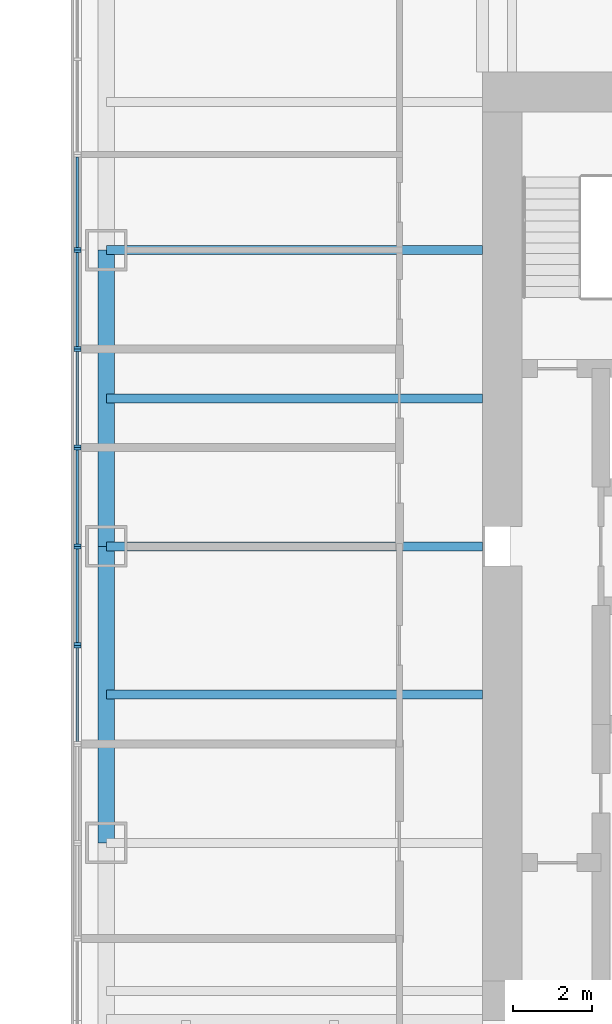
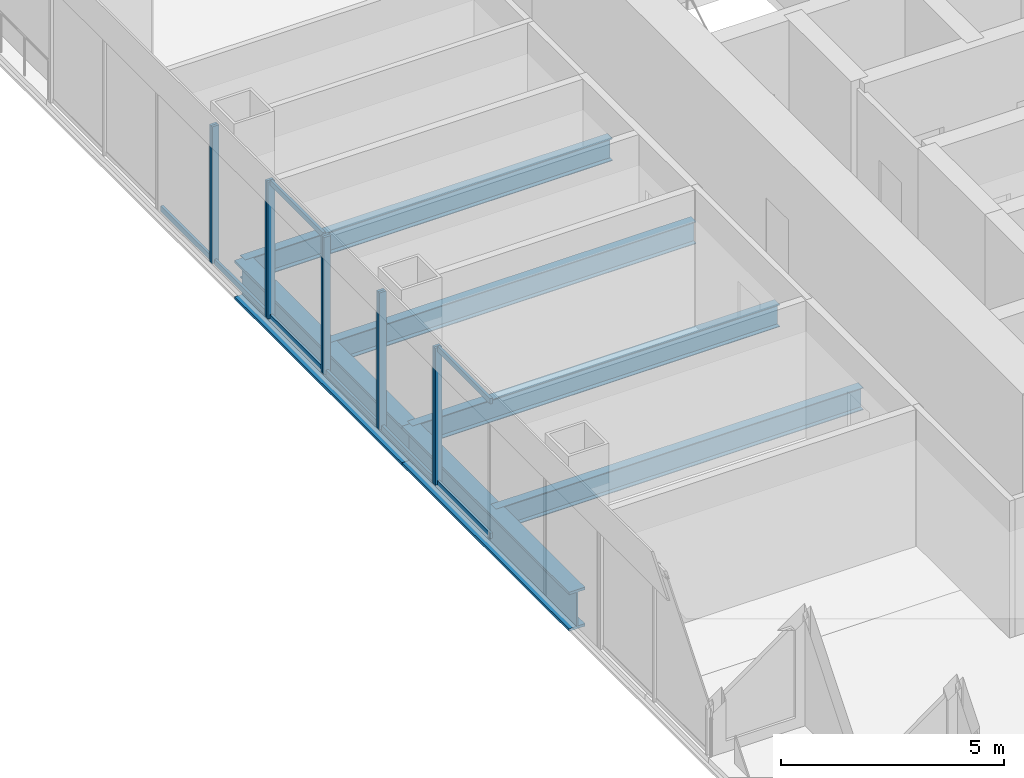
# One storey, part 3 of 14: 18 members, 6 beams, 6 elements without a shape of their own.
"""IFC4 building model written with IfcOpenShell, lengths in metres."""

import ifcopenshell
import ifcopenshell.guid

model = None  # the IFC model being written
_history = None  # IfcOwnerHistory: only IFC2X3 demands one
_inside = {}  # id of a spatial element -> (the spatial element, [elements in it])
_under = {}  # id of a project, library or spatial element -> (it, [spatial elements below it])
_declared = {}  # id of a project -> (the project, [libraries it declares])
_typed = {}  # id of a type object -> (the type object, [elements of that type])
_made_of = {}  # id of a material, layer set ... -> (it, [elements and type objects made of it])


def new_model(schema):
    """Start an empty IFC model of exactly this schema.

    Asked for "IFC4X3", IfcOpenShell would pick the latest addendum, in which some entities
    have other attributes; the version numbers below select the first issue.
    IFC2X3 requires an IfcOwnerHistory on every rooted entity: one is made here for all.
    """
    global model, _history
    if schema == "IFC4X3":
        model = ifcopenshell.file(schema_version=(4, 3, 0, 0))
    else:
        model = ifcopenshell.file(schema=schema)
    _inside.clear()
    _under.clear()
    _declared.clear()
    _typed.clear()
    _made_of.clear()
    _history = None
    if model.schema == "IFC2X3":
        org = make("IfcOrganization", Name="unknown")
        user = make(
            "IfcPersonAndOrganization",
            ThePerson=make("IfcPerson", FamilyName="unknown"),
            TheOrganization=org,
        )
        app = make(
            "IfcApplication",
            ApplicationDeveloper=org,
            Version="unknown",
            ApplicationFullName="unknown",
            ApplicationIdentifier="unknown",
        )
        _history = make(
            "IfcOwnerHistory",
            OwningUser=user,
            OwningApplication=app,
            ChangeAction="ADDED",
            CreationDate=0,
        )
    return model


def make(cls, **values):
    """One entity of the class cls with the attributes given. An attribute that is None is left unset."""
    return model.create_entity(
        cls, **{name: value for name, value in values.items() if value is not None}
    )


def rooted(cls, **values):
    """An entity with a GlobalId (a new one), such as an element, a storey or a relation."""
    return make(cls, GlobalId=ifcopenshell.guid.new(), OwnerHistory=_history, **values)


def si_unit(unit_type, name, prefix=None):
    """IfcSIUnit, for example si_unit("LENGTHUNIT", "METRE", prefix="MILLI")."""
    return make("IfcSIUnit", UnitType=unit_type, Prefix=prefix, Name=name)


def assignment(units):
    """IfcUnitAssignment: the units of a project."""
    return None if units is None else make("IfcUnitAssignment", Units=units)


def point(xyz):
    """IfcCartesianPoint."""
    return None if xyz is None else make("IfcCartesianPoint", Coordinates=xyz)


def direction(xyz):
    """IfcDirection."""
    return None if xyz is None else make("IfcDirection", DirectionRatios=xyz)


def frame(location, z_axis=None, x_axis=None):
    """IfcAxis2Placement3D, a coordinate frame: its origin and axes. An axis left out is left unset."""
    return make(
        "IfcAxis2Placement3D",
        Location=point(location),
        Axis=direction(z_axis),
        RefDirection=direction(x_axis),
    )


def frame_2d(location, x_axis=None):
    """IfcAxis2Placement2D, a coordinate frame in the plane: its origin and x axis."""
    return make(
        "IfcAxis2Placement2D", Location=point(location), RefDirection=direction(x_axis)
    )


def origin():
    """The frame at (0, 0, 0) with its axes left unset."""
    return frame((0.0, 0.0, 0.0))


def origin_2d():
    """The frame at (0, 0) in the plane with its x axis left unset."""
    return frame_2d((0.0, 0.0))


def place(relative_to, where):
    """IfcLocalPlacement: puts the frame where relative to a parent placement (None: the world)."""
    return make(
        "IfcLocalPlacement", PlacementRelTo=relative_to, RelativePlacement=where
    )


def context(
    kind, dimensions, precision=None, world=None, true_north=None, identifier=None
):
    """IfcGeometricRepresentationContext, for example the 3D "Model" context."""
    return make(
        "IfcGeometricRepresentationContext",
        ContextIdentifier=identifier,
        ContextType=kind,
        CoordinateSpaceDimension=dimensions,
        Precision=precision,
        WorldCoordinateSystem=world,
        TrueNorth=true_north,
    )


def subcontext(parent, identifier, kind, view, scale=None):
    """IfcGeometricRepresentationSubContext, for example "Body" below "Model"."""
    return make(
        "IfcGeometricRepresentationSubContext",
        ContextIdentifier=identifier,
        ContextType=kind,
        ParentContext=parent,
        TargetScale=scale,
        TargetView=view,
    )


def project(units=None, contexts=None):
    """IfcProject with its units and contexts."""
    return rooted(
        "IfcProject",
        Name="project",
        RepresentationContexts=contexts,
        UnitsInContext=assignment(units),
    )


def spatial(cls, under=None, at=None, **own):
    """A site, building, storey or space (cls), placed at a placement, below another one or the project."""
    s = rooted(cls, ObjectPlacement=at, **own)
    if under is not None:
        _under.setdefault(under.id(), (under, []))[1].append(s)
    return s


def profile(cls, at=None, kind="AREA", **sizes):
    """A parametric profile (cls). Its sizes go by their IFC names, for example OverallWidth=200.0."""
    return make(cls, ProfileType=kind, Position=at, **sizes)


def rectangle(**sizes):
    """IfcRectangleProfileDef."""
    return profile("IfcRectangleProfileDef", **sizes)


def i_section(**sizes):
    """IfcIShapeProfileDef."""
    return profile("IfcIShapeProfileDef", **sizes)


def extrude(swept, where, along, depth):
    """IfcExtrudedAreaSolid: the profile swept, set in the frame where, extruded along a direction by depth."""
    return make(
        "IfcExtrudedAreaSolid",
        SweptArea=swept,
        Position=where,
        ExtrudedDirection=direction(along),
        Depth=depth,
    )


def shape(context_of_items, identifier, shape_type, items):
    """IfcShapeRepresentation: the items that make up one representation, for example the "Body"."""
    return make(
        "IfcShapeRepresentation",
        ContextOfItems=context_of_items,
        RepresentationIdentifier=identifier,
        RepresentationType=shape_type,
        Items=items,
    )


def material(Name=None, Category=None):
    """IfcMaterial."""
    return make("IfcMaterial", Name=Name, Category=Category)


def material_profile(
    of_material, cross_section, Name=None, Category=None, Priority=None
):
    """IfcMaterialProfile: a cross section and its material."""
    return make(
        "IfcMaterialProfile",
        Name=Name,
        Material=of_material,
        Profile=cross_section,
        Priority=Priority,
        Category=Category,
    )


def profile_set(profiles, Name=None, composite=None):
    """IfcMaterialProfileSet."""
    return make(
        "IfcMaterialProfileSet",
        Name=Name,
        MaterialProfiles=profiles,
        CompositeProfile=composite,
    )


def made_of(thing, what):
    """Note that an element or type object is made of a material, layer set ...; save() writes the relation."""
    if what is not None:
        _made_of.setdefault(what.id(), (what, []))[1].append(thing)
    return thing


def type_object(cls, material=None, **own):
    """A type object (cls), such as IfcWallType, which elements share."""
    return made_of(rooted(cls, **own), material)


def element(
    cls,
    number,
    at=None,
    inside=None,
    cuts=None,
    type_object=None,
    material=None,
    context=None,
    identifier="Body",
    shape_type=None,
    held_by="IfcProductDefinitionShape",
    body=None,
    shapes=None,
    **own,
):
    """One element of the class cls, such as IfcWall. Its Tag is "e" and its number.

    at: its placement. inside: the storey or other place that contains it. cuts: it is an
    opening in that element (IfcRelVoidsElement). A single representation is given by context,
    identifier, shape_type and body (its items); several are given by shapes. held_by: the class
    of the entity that holds the representations. save() writes the other relations.
    """
    e = rooted(cls, Tag="e%d" % number, ObjectPlacement=at, **own)
    if body is not None:
        shapes = [shape(context, identifier, shape_type, body)]
    if shapes is not None:
        e.Representation = make(held_by, Representations=shapes)
    if inside is not None:
        _inside.setdefault(inside.id(), (inside, []))[1].append(e)
    if cuts is not None:
        rooted(
            "IfcRelVoidsElement", RelatingBuildingElement=cuts, RelatedOpeningElement=e
        )
    if type_object is not None:
        _typed.setdefault(type_object.id(), (type_object, []))[1].append(e)
    return made_of(e, material)


def aggregate(whole, parts):
    """IfcRelAggregates: a whole, such as a stair, and the parts it consists of."""
    return rooted("IfcRelAggregates", RelatingObject=whole, RelatedObjects=parts)


def save(model, path):
    """Write the relations noted so far, then the file.

    IfcRelAggregates (storeys below a building ...), IfcRelContainedInSpatialStructure (elements
    in a storey), IfcRelDefinesByType, IfcRelAssociatesMaterial and IfcRelDeclares: one each for
    every whole, place, type object, material and project.
    """
    for whole, parts in _under.values():
        aggregate(whole, parts)
    for where, things in _inside.values():
        rooted(
            "IfcRelContainedInSpatialStructure",
            RelatedElements=things,
            RelatingStructure=where,
        )
    for kind, things in _typed.values():
        rooted("IfcRelDefinesByType", RelatedObjects=things, RelatingType=kind)
    for what, things in _made_of.values():
        rooted("IfcRelAssociatesMaterial", RelatedObjects=things, RelatingMaterial=what)
    for by, libraries in _declared.values():
        rooted("IfcRelDeclares", RelatingContext=by, RelatedDefinitions=libraries)
    model.write(path)


model = new_model("IFC4")

# Units and contexts
model_context = context("Model", 3, precision=1e-05, world=origin(), true_north=direction((0.0, 1.0)))
body_context = subcontext(model_context, "Body", "Model", "MODEL_VIEW")
ifc_project = project(units=[si_unit("LENGTHUNIT", "METRE"), si_unit("AREAUNIT", "SQUARE_METRE"), si_unit("VOLUMEUNIT", "CUBIC_METRE"), si_unit("PLANEANGLEUNIT", "RADIAN"), si_unit("MASSUNIT", "GRAM", prefix="KILO")], contexts=[model_context])

# Site, building, storey
site_placement = place(None, origin())
site = spatial("IfcSite", under=ifc_project, at=site_placement, CompositionType="ELEMENT")
building_placement = place(site_placement, origin())
building = spatial("IfcBuilding", under=site, at=building_placement, Name="Tarangal Relay Tower", CompositionType="ELEMENT")
storey_placement = place(building_placement, frame((0.0, 0.0, 249.89990234375)))
storey = spatial("IfcBuildingStorey", under=building, at=storey_placement, Name="L54", CompositionType="ELEMENT", Elevation=249.89990234375)

# Beams
ifc_material_1 = material(Name="Steel ASTM A992", Category="steel")
ifc_material_profile_1 = material_profile(ifc_material_1, i_section(OverallWidth=0.41650390625, OverallDepth=1.0693359375, WebThickness=0.0390625, FlangeThickness=0.070068359375, at=origin_2d()), Name="W40X503")
ifc_profile_set_1 = profile_set([ifc_material_profile_1], Name="Steel ASTM A992")
beam_type_1 = type_object("IfcBeamType", Name="Edge girder W40X503", PredefinedType="SPANDREL", material=ifc_profile_set_1)
for number, where, z_axis, x_axis, name in (
    (1, (-21.514892578125, -7.5, -0.6845703125), (0.0, 1.0, 0.0), (-1.0, 0.0, 0.0), "Edge girder EG8 W L54"),
    (2, (-21.514892578125, 0.0, -0.6845703125), (0.0, 1.0, 0.0), (-1.0, 0.0, 0.0), "Edge girder EG8 W L54"),
):
    element("IfcBeam", number, at=place(storey_placement, frame(where, z_axis=z_axis, x_axis=x_axis)), inside=storey, type_object=beam_type_1, Name=name, PredefinedType="SPANDREL", context=body_context, shape_type="SweptSolid", body=[
        extrude(i_section(OverallWidth=0.41650390625, OverallDepth=1.0693359375, WebThickness=0.0390625, FlangeThickness=0.070068359375, at=origin_2d()), origin(), (0.0, 0.0, 1.0), 7.5),
    ])
ifc_material_profile_2 = material_profile(ifc_material_1, i_section(OverallWidth=0.22900390625, OverallDepth=0.612060546875, WebThickness=0.011962890625, FlangeThickness=0.01953125, at=origin_2d()), Name="W24X84")
ifc_profile_set_2 = profile_set([ifc_material_profile_2], Name="Steel ASTM A992")
beam_type_2 = type_object("IfcBeamType", Name="Floor beam W24X84", PredefinedType="BEAM", material=ifc_profile_set_2)
for number, where, z_axis, x_axis, name in (
    (3, (-12.0, -3.75, -0.455810546875), (-1.0, 0.0, 0.0), (0.0, -1.0, 0.0), "Floor beam RB12 W L54"),
    (4, (-12.0, 0.0, -0.455810546875), (-1.0, 0.0, 0.0), (0.0, -1.0, 0.0), "Floor beam RB12 W L54"),
    (5, (-12.0, 3.75, -0.455810546875), (-1.0, 0.0, 0.0), (0.0, -1.0, 0.0), "Floor beam RB12 W L54"),
    (6, (-12.0, 7.5, -0.455810546875), (-1.0, 0.0, 0.0), (0.0, -1.0, 0.0), "Floor beam RB12 W L54"),
):
    element("IfcBeam", number, at=place(storey_placement, frame(where, z_axis=z_axis, x_axis=x_axis)), inside=storey, type_object=beam_type_2, Name=name, PredefinedType="BEAM", context=body_context, shape_type="SweptSolid", body=[
        extrude(i_section(OverallWidth=0.22900390625, OverallDepth=0.612060546875, WebThickness=0.011962890625, FlangeThickness=0.01953125, at=origin_2d()), origin(), (0.0, 0.0, 1.0), 9.514892578125),
    ])

# Curtain wall, member
ifc_material_2 = material(Name="Unitised curtain wall, dark glass and black aluminium", Category="aluminium")
curtain_wall_type_1 = type_object("IfcCurtainWallType", Name="Curtain wall CW-A", PredefinedType="USERDEFINED", material=ifc_material_2)
curtain_wall_1_placement = place(storey_placement, origin())
curtain_wall_1 = element("IfcCurtainWall", 7, at=curtain_wall_1_placement, inside=storey, type_object=curtain_wall_type_1, Name="Curtain wall CW-A W facade L54", ObjectType="UNITISED CURTAIN WALL", PredefinedType="USERDEFINED")
ifc_material_3 = material(Name="Black anodised aluminium mullion", Category="aluminium")
ifc_material_profile_3 = material_profile(ifc_material_3, rectangle(XDim=0.175048828125, YDim=0.06494140625, at=origin_2d()), Name="CW-AM 65X175")
ifc_profile_set_3 = profile_set([ifc_material_profile_3], Name="Black anodised aluminium mullion")
member_type_1 = type_object("IfcMemberType", Name="Mullion CW-A 65 x 175", PredefinedType="MULLION", material=ifc_profile_set_3)
member_1_placement = place(storey_placement, frame((-22.25, -2.532470703125, 0.0), z_axis=(0.0, 0.0, 1.0), x_axis=(-1.0, 0.0, 0.0)))
member_1 = element("IfcMember", 8, at=member_1_placement, type_object=member_type_1, Name="CW-A mullion 2", PredefinedType="MULLION", context=body_context, shape_type="SweptSolid", body=[
    extrude(rectangle(XDim=0.175048828125, YDim=0.06494140625, at=origin_2d()), origin(), (0.0, 0.0, 1.0), 3.75),
])

# Curtain wall, members
curtain_wall_2_placement = place(storey_placement, origin())
curtain_wall_2 = element("IfcCurtainWall", 9, at=curtain_wall_2_placement, inside=storey, type_object=curtain_wall_type_1, Name="Curtain wall CW-A W facade L54", ObjectType="UNITISED CURTAIN WALL", PredefinedType="USERDEFINED")
member_2_placement = place(storey_placement, frame((-22.25, 2.532470703125, 0.0), z_axis=(0.0, 0.0, 1.0), x_axis=(-1.0, 0.0, 0.0)))
member_2 = element("IfcMember", 10, at=member_2_placement, type_object=member_type_1, Name="CW-A mullion 1", PredefinedType="MULLION", context=body_context, shape_type="SweptSolid", body=[
    extrude(rectangle(XDim=0.175048828125, YDim=0.06494140625, at=origin_2d()), origin(), (0.0, 0.0, 1.0), 3.75),
])
member_3_placement = place(storey_placement, frame((-22.25, 4.967529296875, 0.0), z_axis=(0.0, 0.0, 1.0), x_axis=(-1.0, 0.0, 0.0)))
member_3 = element("IfcMember", 11, at=member_3_placement, type_object=member_type_1, Name="CW-A mullion 2", PredefinedType="MULLION", context=body_context, shape_type="SweptSolid", body=[
    extrude(rectangle(XDim=0.175048828125, YDim=0.06494140625, at=origin_2d()), origin(), (0.0, 0.0, 1.0), 3.75),
])

ifc_material_4 = material(Name="Unitised curtain wall frame, black aluminium, with metal clad infill walls", Category="aluminium")
curtain_wall_type_2 = type_object("IfcCurtainWallType", Name="Curtain wall CW-AO", PredefinedType="USERDEFINED", material=ifc_material_4)
curtain_wall_3_placement = place(storey_placement, origin())
curtain_wall_3 = element("IfcCurtainWall", 12, at=curtain_wall_3_placement, inside=storey, type_object=curtain_wall_type_2, Name="Curtain wall CW-AO W facade L54", ObjectType="UNITISED CURTAIN WALL", PredefinedType="USERDEFINED")
ifc_material_profile_4 = material_profile(ifc_material_3, rectangle(XDim=0.175048828125, YDim=0.06494140625, at=origin_2d()), Name="CW-AOM 65X175")
ifc_profile_set_4 = profile_set([ifc_material_profile_4], Name="Black anodised aluminium mullion")
member_type_2 = type_object("IfcMemberType", Name="Mullion CW-AO 65 x 175", PredefinedType="MULLION", material=ifc_profile_set_4)
member_4_placement = place(storey_placement, frame((-22.25, -2.467529296875, 0.0), z_axis=(0.0, 0.0, 1.0), x_axis=(-1.0, 0.0, 0.0)))
member_4 = element("IfcMember", 13, at=member_4_placement, type_object=member_type_2, Name="CW-AO mullion 1", PredefinedType="MULLION", context=body_context, shape_type="SweptSolid", body=[
    extrude(rectangle(XDim=0.175048828125, YDim=0.06494140625, at=origin_2d()), origin(), (0.0, 0.0, 1.0), 3.75),
])
member_5_placement = place(storey_placement, frame((-22.25, -0.032470703125, 0.0), z_axis=(0.0, 0.0, 1.0), x_axis=(-1.0, 0.0, 0.0)))
member_5 = element("IfcMember", 14, at=member_5_placement, type_object=member_type_2, Name="CW-AO mullion 2", PredefinedType="MULLION", context=body_context, shape_type="SweptSolid", body=[
    extrude(rectangle(XDim=0.175048828125, YDim=0.06494140625, at=origin_2d()), origin(), (0.0, 0.0, 1.0), 3.75),
])

curtain_wall_4_placement = place(storey_placement, origin())
curtain_wall_4 = element("IfcCurtainWall", 15, at=curtain_wall_4_placement, inside=storey, type_object=curtain_wall_type_2, Name="Curtain wall CW-AO W facade L54", ObjectType="UNITISED CURTAIN WALL", PredefinedType="USERDEFINED")
member_6_placement = place(storey_placement, frame((-22.25, 0.032470703125, 0.0), z_axis=(0.0, 0.0, 1.0), x_axis=(-1.0, 0.0, 0.0)))
member_6 = element("IfcMember", 16, at=member_6_placement, type_object=member_type_2, Name="CW-AO mullion 1", PredefinedType="MULLION", context=body_context, shape_type="SweptSolid", body=[
    extrude(rectangle(XDim=0.175048828125, YDim=0.06494140625, at=origin_2d()), origin(), (0.0, 0.0, 1.0), 3.75),
])
member_7_placement = place(storey_placement, frame((-22.25, 2.467529296875, 0.0), z_axis=(0.0, 0.0, 1.0), x_axis=(-1.0, 0.0, 0.0)))
member_7 = element("IfcMember", 17, at=member_7_placement, type_object=member_type_2, Name="CW-AO mullion 2", PredefinedType="MULLION", context=body_context, shape_type="SweptSolid", body=[
    extrude(rectangle(XDim=0.175048828125, YDim=0.06494140625, at=origin_2d()), origin(), (0.0, 0.0, 1.0), 3.75),
])

curtain_wall_5_placement = place(storey_placement, origin())
curtain_wall_5 = element("IfcCurtainWall", 18, at=curtain_wall_5_placement, inside=storey, type_object=curtain_wall_type_2, Name="Curtain wall CW-AO W facade L54", ObjectType="UNITISED CURTAIN WALL", PredefinedType="USERDEFINED")
member_8_placement = place(storey_placement, frame((-22.25, 5.032470703125, 0.0), z_axis=(0.0, 0.0, 1.0), x_axis=(-1.0, 0.0, 0.0)))
member_8 = element("IfcMember", 19, at=member_8_placement, type_object=member_type_2, Name="CW-AO mullion 1", PredefinedType="MULLION", context=body_context, shape_type="SweptSolid", body=[
    extrude(rectangle(XDim=0.175048828125, YDim=0.06494140625, at=origin_2d()), origin(), (0.0, 0.0, 1.0), 3.75),
])
member_9_placement = place(storey_placement, frame((-22.25, 7.467529296875, 0.0), z_axis=(0.0, 0.0, 1.0), x_axis=(-1.0, 0.0, 0.0)))
member_9 = element("IfcMember", 20, at=member_9_placement, type_object=member_type_2, Name="CW-AO mullion 2", PredefinedType="MULLION", context=body_context, shape_type="SweptSolid", body=[
    extrude(rectangle(XDim=0.175048828125, YDim=0.06494140625, at=origin_2d()), origin(), (0.0, 0.0, 1.0), 3.75),
])

# Curtain wall, member
curtain_wall_6_placement = place(storey_placement, origin())
curtain_wall_6 = element("IfcCurtainWall", 21, at=curtain_wall_6_placement, inside=storey, type_object=curtain_wall_type_2, Name="Curtain wall CW-AO W facade L54", ObjectType="UNITISED CURTAIN WALL", PredefinedType="USERDEFINED")
member_10_placement = place(storey_placement, frame((-22.25, 7.532470703125, 0.0), z_axis=(0.0, 0.0, 1.0), x_axis=(-1.0, 0.0, 0.0)))
member_10 = element("IfcMember", 22, at=member_10_placement, type_object=member_type_2, Name="CW-AO mullion 1", PredefinedType="MULLION", context=body_context, shape_type="SweptSolid", body=[
    extrude(rectangle(XDim=0.175048828125, YDim=0.06494140625, at=origin_2d()), origin(), (0.0, 0.0, 1.0), 3.75),
])

# Member
ifc_material_5 = material(Name="Black anodised aluminium transom", Category="aluminium")
ifc_material_profile_5 = material_profile(ifc_material_5, rectangle(XDim=0.06494140625, YDim=0.14990234375, at=origin_2d()), Name="CW-AT 65X150")
ifc_profile_set_5 = profile_set([ifc_material_profile_5], Name="Black anodised aluminium transom")
member_type_3 = type_object("IfcMemberType", Name="Transom CW-A 65 x 150", PredefinedType="USERDEFINED", material=ifc_profile_set_5)
member_11_placement = place(storey_placement, frame((-22.25, -4.93505859375, 0.03271484375), z_axis=(0.0, 1.0, 0.0), x_axis=(-1.0, 0.0, 0.0)))
member_11 = element("IfcMember", 23, at=member_11_placement, type_object=member_type_3, Name="CW-A transom 1.1", ObjectType="TRANSOM", PredefinedType="USERDEFINED", context=body_context, shape_type="SweptSolid", body=[
    extrude(rectangle(XDim=0.06494140625, YDim=0.14990234375, at=origin_2d()), origin(), (0.0, 0.0, 1.0), 2.3701171875),
])

member_12_placement = place(storey_placement, frame((-22.25, -4.93505859375, 3.717529296875), z_axis=(0.0, 1.0, 0.0), x_axis=(-1.0, 0.0, 0.0)))
member_12 = element("IfcMember", 24, at=member_12_placement, type_object=member_type_3, Name="CW-A transom 1.2", ObjectType="TRANSOM", PredefinedType="USERDEFINED", context=body_context, shape_type="SweptSolid", body=[
    extrude(rectangle(XDim=0.06494140625, YDim=0.14990234375, at=origin_2d()), origin(), (0.0, 0.0, 1.0), 2.3701171875),
])

aggregate(curtain_wall_1, [member_1, member_11, member_12])

member_13_placement = place(storey_placement, frame((-22.25, 2.56494140625, 0.03271484375), z_axis=(0.0, 1.0, 0.0), x_axis=(-1.0, 0.0, 0.0)))
member_13 = element("IfcMember", 25, at=member_13_placement, type_object=member_type_3, Name="CW-A transom 1.1", ObjectType="TRANSOM", PredefinedType="USERDEFINED", context=body_context, shape_type="SweptSolid", body=[
    extrude(rectangle(XDim=0.06494140625, YDim=0.14990234375, at=origin_2d()), origin(), (0.0, 0.0, 1.0), 2.3701171875),
])

member_14_placement = place(storey_placement, frame((-22.25, 2.56494140625, 3.717529296875), z_axis=(0.0, 1.0, 0.0), x_axis=(-1.0, 0.0, 0.0)))
member_14 = element("IfcMember", 26, at=member_14_placement, type_object=member_type_3, Name="CW-A transom 1.2", ObjectType="TRANSOM", PredefinedType="USERDEFINED", context=body_context, shape_type="SweptSolid", body=[
    extrude(rectangle(XDim=0.06494140625, YDim=0.14990234375, at=origin_2d()), origin(), (0.0, 0.0, 1.0), 2.3701171875),
])

aggregate(curtain_wall_2, [member_2, member_3, member_13, member_14])

ifc_material_profile_6 = material_profile(ifc_material_5, rectangle(XDim=0.06494140625, YDim=0.14990234375, at=origin_2d()), Name="CW-AOT 65X150")
ifc_profile_set_6 = profile_set([ifc_material_profile_6], Name="Black anodised aluminium transom")
member_type_4 = type_object("IfcMemberType", Name="Transom CW-AO 65 x 150", PredefinedType="USERDEFINED", material=ifc_profile_set_6)
member_15_placement = place(storey_placement, frame((-22.25, -2.43505859375, 0.03271484375), z_axis=(0.0, 1.0, 0.0), x_axis=(-1.0, 0.0, 0.0)))
member_15 = element("IfcMember", 27, at=member_15_placement, type_object=member_type_4, Name="CW-AO transom 1.1", ObjectType="TRANSOM", PredefinedType="USERDEFINED", context=body_context, shape_type="SweptSolid", body=[
    extrude(rectangle(XDim=0.06494140625, YDim=0.14990234375, at=origin_2d()), origin(), (0.0, 0.0, 1.0), 2.3701171875),
])

aggregate(curtain_wall_3, [member_4, member_5, member_15])

member_16_placement = place(storey_placement, frame((-22.25, 0.06494140625, 0.03271484375), z_axis=(0.0, 1.0, 0.0), x_axis=(-1.0, 0.0, 0.0)))
member_16 = element("IfcMember", 28, at=member_16_placement, type_object=member_type_4, Name="CW-AO transom 1.1", ObjectType="TRANSOM", PredefinedType="USERDEFINED", context=body_context, shape_type="SweptSolid", body=[
    extrude(rectangle(XDim=0.06494140625, YDim=0.14990234375, at=origin_2d()), origin(), (0.0, 0.0, 1.0), 2.3701171875),
])

aggregate(curtain_wall_4, [member_6, member_7, member_16])

member_17_placement = place(storey_placement, frame((-22.25, 5.06494140625, 0.03271484375), z_axis=(0.0, 1.0, 0.0), x_axis=(-1.0, 0.0, 0.0)))
member_17 = element("IfcMember", 29, at=member_17_placement, type_object=member_type_4, Name="CW-AO transom 1.1", ObjectType="TRANSOM", PredefinedType="USERDEFINED", context=body_context, shape_type="SweptSolid", body=[
    extrude(rectangle(XDim=0.06494140625, YDim=0.14990234375, at=origin_2d()), origin(), (0.0, 0.0, 1.0), 2.3701171875),
])

aggregate(curtain_wall_5, [member_8, member_9, member_17])

member_18_placement = place(storey_placement, frame((-22.25, 7.56494140625, 0.03271484375), z_axis=(0.0, 1.0, 0.0), x_axis=(-1.0, 0.0, 0.0)))
member_18 = element("IfcMember", 30, at=member_18_placement, type_object=member_type_4, Name="CW-AO transom 1.1", ObjectType="TRANSOM", PredefinedType="USERDEFINED", context=body_context, shape_type="SweptSolid", body=[
    extrude(rectangle(XDim=0.06494140625, YDim=0.14990234375, at=origin_2d()), origin(), (0.0, 0.0, 1.0), 2.286865234375),
])

aggregate(curtain_wall_6, [member_10, member_18])

save(model, "model.ifc")
